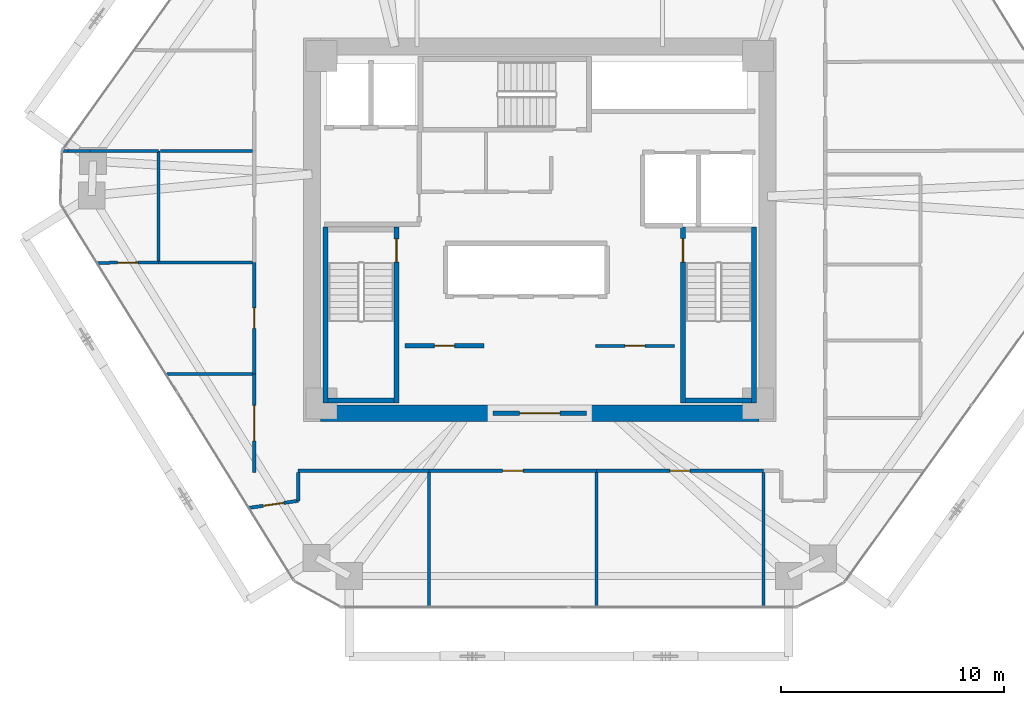
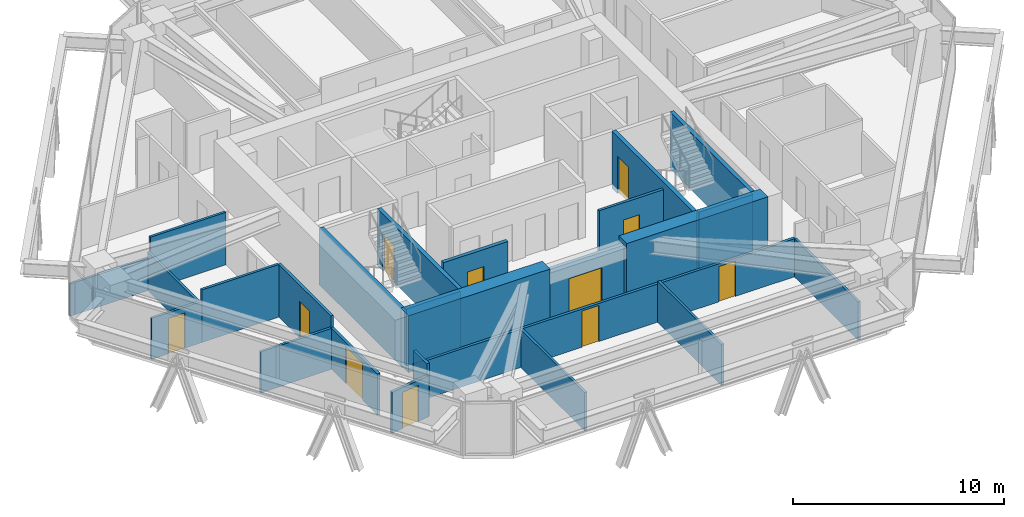
# One storey, part 12 of 16: 29 walls, 11 doors, 11 openings.
"""IFC4 building model written with IfcOpenShell, lengths in metres."""

import ifcopenshell
import ifcopenshell.guid

model = None  # the IFC model being written
_history = None  # IfcOwnerHistory: only IFC2X3 demands one
_inside = {}  # id of a spatial element -> (the spatial element, [elements in it])
_under = {}  # id of a project, library or spatial element -> (it, [spatial elements below it])
_declared = {}  # id of a project -> (the project, [libraries it declares])
_typed = {}  # id of a type object -> (the type object, [elements of that type])
_made_of = {}  # id of a material, layer set ... -> (it, [elements and type objects made of it])


def new_model(schema):
    """Start an empty IFC model of exactly this schema.

    Asked for "IFC4X3", IfcOpenShell would pick the latest addendum, in which some entities
    have other attributes; the version numbers below select the first issue.
    IFC2X3 requires an IfcOwnerHistory on every rooted entity: one is made here for all.
    """
    global model, _history
    if schema == "IFC4X3":
        model = ifcopenshell.file(schema_version=(4, 3, 0, 0))
    else:
        model = ifcopenshell.file(schema=schema)
    _inside.clear()
    _under.clear()
    _declared.clear()
    _typed.clear()
    _made_of.clear()
    _history = None
    if model.schema == "IFC2X3":
        org = make("IfcOrganization", Name="unknown")
        user = make(
            "IfcPersonAndOrganization",
            ThePerson=make("IfcPerson", FamilyName="unknown"),
            TheOrganization=org,
        )
        app = make(
            "IfcApplication",
            ApplicationDeveloper=org,
            Version="unknown",
            ApplicationFullName="unknown",
            ApplicationIdentifier="unknown",
        )
        _history = make(
            "IfcOwnerHistory",
            OwningUser=user,
            OwningApplication=app,
            ChangeAction="ADDED",
            CreationDate=0,
        )
    return model


def make(cls, **values):
    """One entity of the class cls with the attributes given. An attribute that is None is left unset."""
    return model.create_entity(
        cls, **{name: value for name, value in values.items() if value is not None}
    )


def rooted(cls, **values):
    """An entity with a GlobalId (a new one), such as an element, a storey or a relation."""
    return make(cls, GlobalId=ifcopenshell.guid.new(), OwnerHistory=_history, **values)


def si_unit(unit_type, name, prefix=None):
    """IfcSIUnit, for example si_unit("LENGTHUNIT", "METRE", prefix="MILLI")."""
    return make("IfcSIUnit", UnitType=unit_type, Prefix=prefix, Name=name)


def assignment(units):
    """IfcUnitAssignment: the units of a project."""
    return None if units is None else make("IfcUnitAssignment", Units=units)


def point(xyz):
    """IfcCartesianPoint."""
    return None if xyz is None else make("IfcCartesianPoint", Coordinates=xyz)


def direction(xyz):
    """IfcDirection."""
    return None if xyz is None else make("IfcDirection", DirectionRatios=xyz)


def frame(location, z_axis=None, x_axis=None):
    """IfcAxis2Placement3D, a coordinate frame: its origin and axes. An axis left out is left unset."""
    return make(
        "IfcAxis2Placement3D",
        Location=point(location),
        Axis=direction(z_axis),
        RefDirection=direction(x_axis),
    )


def frame_2d(location, x_axis=None):
    """IfcAxis2Placement2D, a coordinate frame in the plane: its origin and x axis."""
    return make(
        "IfcAxis2Placement2D", Location=point(location), RefDirection=direction(x_axis)
    )


def origin():
    """The frame at (0, 0, 0) with its axes left unset."""
    return frame((0.0, 0.0, 0.0))


def place(relative_to, where):
    """IfcLocalPlacement: puts the frame where relative to a parent placement (None: the world)."""
    return make(
        "IfcLocalPlacement", PlacementRelTo=relative_to, RelativePlacement=where
    )


def context(
    kind, dimensions, precision=None, world=None, true_north=None, identifier=None
):
    """IfcGeometricRepresentationContext, for example the 3D "Model" context."""
    return make(
        "IfcGeometricRepresentationContext",
        ContextIdentifier=identifier,
        ContextType=kind,
        CoordinateSpaceDimension=dimensions,
        Precision=precision,
        WorldCoordinateSystem=world,
        TrueNorth=true_north,
    )


def subcontext(parent, identifier, kind, view, scale=None):
    """IfcGeometricRepresentationSubContext, for example "Body" below "Model"."""
    return make(
        "IfcGeometricRepresentationSubContext",
        ContextIdentifier=identifier,
        ContextType=kind,
        ParentContext=parent,
        TargetScale=scale,
        TargetView=view,
    )


def project(units=None, contexts=None):
    """IfcProject with its units and contexts."""
    return rooted(
        "IfcProject",
        Name="project",
        RepresentationContexts=contexts,
        UnitsInContext=assignment(units),
    )


def spatial(cls, under=None, at=None, **own):
    """A site, building, storey or space (cls), placed at a placement, below another one or the project."""
    s = rooted(cls, ObjectPlacement=at, **own)
    if under is not None:
        _under.setdefault(under.id(), (under, []))[1].append(s)
    return s


def profile(cls, at=None, kind="AREA", **sizes):
    """A parametric profile (cls). Its sizes go by their IFC names, for example OverallWidth=200.0."""
    return make(cls, ProfileType=kind, Position=at, **sizes)


def rectangle(**sizes):
    """IfcRectangleProfileDef."""
    return profile("IfcRectangleProfileDef", **sizes)


def extrude(swept, where, along, depth):
    """IfcExtrudedAreaSolid: the profile swept, set in the frame where, extruded along a direction by depth."""
    return make(
        "IfcExtrudedAreaSolid",
        SweptArea=swept,
        Position=where,
        ExtrudedDirection=direction(along),
        Depth=depth,
    )


def shape(context_of_items, identifier, shape_type, items):
    """IfcShapeRepresentation: the items that make up one representation, for example the "Body"."""
    return make(
        "IfcShapeRepresentation",
        ContextOfItems=context_of_items,
        RepresentationIdentifier=identifier,
        RepresentationType=shape_type,
        Items=items,
    )


def source(mapping_origin, context_of_items, identifier, shape_type, items):
    """IfcRepresentationMap: a shape defined once, which mapped items show again and again."""
    return make(
        "IfcRepresentationMap",
        MappingOrigin=mapping_origin,
        MappedRepresentation=shape(context_of_items, identifier, shape_type, items),
    )


def transform(
    local_origin,
    x_axis=None,
    y_axis=None,
    z_axis=None,
    scale=None,
    scale2=None,
    scale3=None,
    uniform=True,
):
    """IfcCartesianTransformationOperator3D, or its non-uniform kind. x_axis, y_axis, z_axis: its Axis1, 2, 3."""
    if uniform:
        return make(
            "IfcCartesianTransformationOperator3D",
            Axis1=direction(x_axis),
            Axis2=direction(y_axis),
            LocalOrigin=point(local_origin),
            Scale=scale,
            Axis3=direction(z_axis),
        )
    return make(
        "IfcCartesianTransformationOperator3DnonUniform",
        Axis1=direction(x_axis),
        Axis2=direction(y_axis),
        LocalOrigin=point(local_origin),
        Scale=scale,
        Axis3=direction(z_axis),
        Scale2=scale2,
        Scale3=scale3,
    )


def mapped(mapping_source, mapping_target):
    """IfcMappedItem: shows the shape of a source again, moved by a transform."""
    return make(
        "IfcMappedItem", MappingSource=mapping_source, MappingTarget=mapping_target
    )


def material(Name=None, Category=None):
    """IfcMaterial."""
    return make("IfcMaterial", Name=Name, Category=Category)


def layer(
    of_material, thickness, ventilated=None, Name=None, Category=None, Priority=None
):
    """IfcMaterialLayer: one layer of a wall or slab, of a material (None: an air gap)."""
    return make(
        "IfcMaterialLayer",
        Material=of_material,
        LayerThickness=thickness,
        IsVentilated=ventilated,
        Name=Name,
        Category=Category,
        Priority=Priority,
    )


def layer_set(layers, Name=None):
    """IfcMaterialLayerSet."""
    return make("IfcMaterialLayerSet", MaterialLayers=layers, LayerSetName=Name)


def made_of(thing, what):
    """Note that an element or type object is made of a material, layer set ...; save() writes the relation."""
    if what is not None:
        _made_of.setdefault(what.id(), (what, []))[1].append(thing)
    return thing


def type_object(cls, material=None, **own):
    """A type object (cls), such as IfcWallType, which elements share."""
    return made_of(rooted(cls, **own), material)


def type_shapes(of_type, sources):
    """Give a type object the sources (RepresentationMaps) that its elements show as mapped items."""
    of_type.RepresentationMaps = sources


def element(
    cls,
    number,
    at=None,
    inside=None,
    cuts=None,
    type_object=None,
    material=None,
    context=None,
    identifier="Body",
    shape_type=None,
    held_by="IfcProductDefinitionShape",
    body=None,
    shapes=None,
    **own,
):
    """One element of the class cls, such as IfcWall. Its Tag is "e" and its number.

    at: its placement. inside: the storey or other place that contains it. cuts: it is an
    opening in that element (IfcRelVoidsElement). A single representation is given by context,
    identifier, shape_type and body (its items); several are given by shapes. held_by: the class
    of the entity that holds the representations. save() writes the other relations.
    """
    e = rooted(cls, Tag="e%d" % number, ObjectPlacement=at, **own)
    if body is not None:
        shapes = [shape(context, identifier, shape_type, body)]
    if shapes is not None:
        e.Representation = make(held_by, Representations=shapes)
    if inside is not None:
        _inside.setdefault(inside.id(), (inside, []))[1].append(e)
    if cuts is not None:
        rooted(
            "IfcRelVoidsElement", RelatingBuildingElement=cuts, RelatedOpeningElement=e
        )
    if type_object is not None:
        _typed.setdefault(type_object.id(), (type_object, []))[1].append(e)
    return made_of(e, material)


def fill(opening, filler):
    """IfcRelFillsElement: the door or window that sits in an opening."""
    return rooted(
        "IfcRelFillsElement",
        RelatingOpeningElement=opening,
        RelatedBuildingElement=filler,
    )


def aggregate(whole, parts):
    """IfcRelAggregates: a whole, such as a stair, and the parts it consists of."""
    return rooted("IfcRelAggregates", RelatingObject=whole, RelatedObjects=parts)


def save(model, path):
    """Write the relations noted so far, then the file.

    IfcRelAggregates (storeys below a building ...), IfcRelContainedInSpatialStructure (elements
    in a storey), IfcRelDefinesByType, IfcRelAssociatesMaterial and IfcRelDeclares: one each for
    every whole, place, type object, material and project.
    """
    for whole, parts in _under.values():
        aggregate(whole, parts)
    for where, things in _inside.values():
        rooted(
            "IfcRelContainedInSpatialStructure",
            RelatedElements=things,
            RelatingStructure=where,
        )
    for kind, things in _typed.values():
        rooted("IfcRelDefinesByType", RelatedObjects=things, RelatingType=kind)
    for what, things in _made_of.values():
        rooted("IfcRelAssociatesMaterial", RelatedObjects=things, RelatingMaterial=what)
    for by, libraries in _declared.values():
        rooted("IfcRelDeclares", RelatingContext=by, RelatedDefinitions=libraries)
    model.write(path)


model = new_model("IFC4")

# Units and contexts
model_context = context("Model", 3, precision=1e-05, world=origin(), true_north=direction((0.0, 1.0)))
body_context = subcontext(model_context, "Body", "Model", "MODEL_VIEW")
ifc_project = project(units=[si_unit("LENGTHUNIT", "METRE"), si_unit("AREAUNIT", "SQUARE_METRE"), si_unit("VOLUMEUNIT", "CUBIC_METRE"), si_unit("PLANEANGLEUNIT", "RADIAN"), si_unit("MASSUNIT", "GRAM", prefix="KILO")], contexts=[model_context])

# Site, building, storey
site_placement = place(None, origin())
site = spatial("IfcSite", under=ifc_project, at=site_placement, CompositionType="ELEMENT")
building_placement = place(site_placement, origin())
building = spatial("IfcBuilding", under=site, at=building_placement, Name="Durnholm Broadcast Tower", CompositionType="ELEMENT")
storey_placement = place(building_placement, frame((0.0, 0.0, 130.5)))
storey = spatial("IfcBuildingStorey", under=building, at=storey_placement, Name="L35", CompositionType="ELEMENT", Elevation=130.5)

# Walls
ifc_material_1 = material(Name="Concrete C70/85", Category="concrete")
ifc_layer_1 = layer(ifc_material_1, 0.75)
ifc_layer_set_1 = layer_set([ifc_layer_1], Name="Concrete C70/85")
wall_type_1 = type_object("IfcWallType", Name="WALL-CW-750", PredefinedType="SHEAR", material=ifc_layer_set_1)
for number, where, z_axis, x_axis, name in (
    (1, (-9.85009765625, -8.22509765625, 0.0), (0.0, 0.0, 1.0), (1.0, 0.0, 0.0), "L35 central core shear wall CW-S1"),
    (2, (2.10009765625, -8.22509765625, 0.0), (0.0, 0.0, 1.0), (1.0, 0.0, 0.0), "L35 central core shear wall CW-S2"),
):
    element("IfcWall", number, at=place(storey_placement, frame(where, z_axis=z_axis, x_axis=x_axis)), inside=storey, type_object=wall_type_1, Name=name, PredefinedType="SHEAR", context=body_context, shape_type="SweptSolid", body=[
        extrude(rectangle(XDim=7.75, YDim=0.75, at=frame_2d((3.875, 0.0))), origin(), (0.0, 0.0, 1.0), 3.300048828125),
    ])

# Wall, opening, door
ifc_material_2 = material(Name="Fire-Rated Gypsum Shaftwall", Category="concrete")
ifc_layer_2 = layer(ifc_material_2, 0.199951171875)
ifc_layer_set_2 = layer_set([ifc_layer_2], Name="Fire-Rated Gypsum Shaftwall")
wall_type_2 = type_object("IfcWallType", Name="WALL-LOB-200", PredefinedType="SOLIDWALL", material=ifc_layer_set_2)
wall_1_placement = place(storey_placement, frame((-2.10009765625, -8.22509765625, 0.0), z_axis=(0.0, 0.0, 1.0), x_axis=(1.0, 0.0, 0.0)))
wall_1 = element("IfcWall", 3, at=wall_1_placement, inside=storey, type_object=wall_type_2, Name="L35 south core lobby fire screen", PredefinedType="SOLIDWALL", context=body_context, shape_type="SweptSolid", body=[
    extrude(rectangle(XDim=4.2001953125, YDim=0.199951171875, at=frame_2d((2.10009765625, 0.0))), origin(), (0.0, 0.0, 1.0), 3.044921875),
])
opening_1_placement = place(wall_1_placement, frame((1.199951171875, 0.0, 0.0)))
opening_1 = element("IfcOpeningElement", 4, at=opening_1_placement, cuts=wall_1, Name="Opening DP-60", PredefinedType="OPENING", context=body_context, shape_type="SweptSolid", body=[
    extrude(rectangle(XDim=1.800048828125, YDim=2.14990234375, at=frame_2d((0.89990234375, 1.074951171875))), frame((0.0, 0.10986328125, 0.0), z_axis=(0.0, -1.0, 0.0), x_axis=(1.0, 0.0, 0.0)), (0.0, 0.0, 1.0), 0.219970703125),
])
ifc_material_3 = material(Name="Fire-Rated Double Corridor Door", Category="steel")
ifc_layer_3 = layer(ifc_material_3, 0.050048828125)
ifc_layer_set_3 = layer_set([ifc_layer_3], Name="Fire-Rated Double Corridor Door")
door_type_1 = type_object("IfcDoorType", Name="DOOR-PAIR-FD60", OperationType="DOUBLE_DOOR_SINGLE_SWING", PredefinedType="DOOR", material=ifc_layer_set_3)
shared_shape_1 = source(origin(), body_context, "Body", "SweptSolid", [
    extrude(rectangle(XDim=1.800048828125, YDim=2.14990234375, at=frame_2d((0.89990234375, 1.074951171875))), frame((0.0, 0.02490234375, 0.0), z_axis=(0.0, -1.0, 0.0), x_axis=(1.0, 0.0, 0.0)), (0.0, 0.0, 1.0), 0.050048828125),
])
type_shapes(door_type_1, [shared_shape_1])
door_1_placement = place(opening_1_placement, origin())
door_1 = element("IfcDoor", 5, at=door_1_placement, inside=storey, type_object=door_type_1, Name="L35 south core lobby double fire door", OperationType="DOUBLE_DOOR_SINGLE_SWING", OverallHeight=2.14990234375, OverallWidth=1.800048828125, PredefinedType="DOOR", context=body_context, shape_type="MappedRepresentation", body=[
    mapped(shared_shape_1, transform((0.0, 0.0, 0.0), x_axis=(1.0, 0.0, 0.0), y_axis=(0.0, 1.0, 0.0), z_axis=(0.0, 0.0, 1.0), scale=1.0)),
])
fill(opening_1, door_1)

wall_2_placement = place(storey_placement, frame((-6.0400390625, -5.2099609375, 0.0), z_axis=(0.0, 0.0, 1.0), x_axis=(1.0, 0.0, 0.0)))
wall_2 = element("IfcWall", 6, at=wall_2_placement, inside=storey, type_object=wall_type_2, Name="L35 Broadcast Signal Rack Room corridor partition", PredefinedType="SOLIDWALL", context=body_context, shape_type="SweptSolid", body=[
    extrude(rectangle(XDim=3.530029296875, YDim=0.199951171875, at=frame_2d((1.76513671875, 0.0))), origin(), (0.0, 0.0, 1.0), 3.044921875),
])
opening_2_placement = place(wall_2_placement, frame((1.31494140625, 0.0, 0.0)))
opening_2 = element("IfcOpeningElement", 7, at=opening_2_placement, cuts=wall_2, Name="Opening DC-60R", PredefinedType="OPENING", context=body_context, shape_type="SweptSolid", body=[
    extrude(rectangle(XDim=0.89990234375, YDim=2.050048828125, at=frame_2d((0.449951171875, 1.02490234375))), frame((0.0, 0.10986328125, 0.0), z_axis=(0.0, -1.0, 0.0), x_axis=(1.0, 0.0, 0.0)), (0.0, 0.0, 1.0), 0.219970703125),
])
ifc_material_4 = material(Name="Fire-Rated Core Service Door", Category="steel")
ifc_layer_4 = layer(ifc_material_4, 0.050048828125)
ifc_layer_set_4 = layer_set([ifc_layer_4], Name="Fire-Rated Core Service Door")
door_type_2 = type_object("IfcDoorType", Name="DOOR-CORE-FD60-R", OperationType="NOTDEFINED", PredefinedType="DOOR", material=ifc_layer_set_4)
shared_shape_2 = source(origin(), body_context, "Body", "SweptSolid", [
    extrude(rectangle(XDim=0.89990234375, YDim=2.050048828125, at=frame_2d((0.449951171875, 1.02490234375))), frame((0.0, 0.02490234375, 0.0), z_axis=(0.0, -1.0, 0.0), x_axis=(1.0, 0.0, 0.0)), (0.0, 0.0, 1.0), 0.050048828125),
])
type_shapes(door_type_2, [shared_shape_2])
door_2_placement = place(opening_2_placement, origin())
door_2 = element("IfcDoor", 8, at=door_2_placement, inside=storey, type_object=door_type_2, Name="L35 Broadcast Signal Rack Room entrance door", OperationType="SINGLE_SWING_RIGHT", OverallHeight=2.050048828125, OverallWidth=0.89990234375, PredefinedType="DOOR", context=body_context, shape_type="MappedRepresentation", body=[
    mapped(shared_shape_2, transform((0.0, 0.0, 0.0), x_axis=(1.0, 0.0, 0.0), y_axis=(0.0, 1.0, 0.0), z_axis=(0.0, 0.0, 1.0), scale=1.0)),
])
fill(opening_2, door_2)

# Walls
ifc_material_5 = material(Name="Gypsum Metal Stud Partition", Category="concrete")
ifc_layer_5 = layer(ifc_material_5, 0.135009765625)
ifc_layer_set_5 = layer_set([ifc_layer_5], Name="Gypsum Metal Stud Partition")
wall_type_3 = type_object("IfcWallType", Name="WALL-PART-135", PredefinedType="PARTITIONING", material=ifc_layer_set_5)
wall_3_placement = place(storey_placement, frame((-4.9599609375, -10.888916015625, 0.0), z_axis=(0.0, 0.0, 1.0), x_axis=(0.0, -1.0, 0.0)))
element("IfcWall", 9, at=wall_3_placement, inside=storey, type_object=wall_type_3, Name="L35 room dividing partition 14.15", PredefinedType="PARTITIONING", context=body_context, shape_type="SweptSolid", body=[
    extrude(rectangle(XDim=6.048095703125, YDim=0.135009765625, at=frame_2d((3.02392578125, 0.0))), origin(), (0.0, 0.0, 1.0), 2.212158203125),
])
wall_4_placement = place(storey_placement, frame((2.5400390625, -10.888916015625, 0.0), z_axis=(0.0, 0.0, 1.0), x_axis=(0.0, -1.0, 0.0)))
element("IfcWall", 10, at=wall_4_placement, inside=storey, type_object=wall_type_3, Name="L35 room dividing partition 15.16", PredefinedType="PARTITIONING", context=body_context, shape_type="SweptSolid", body=[
    extrude(rectangle(XDim=6.048095703125, YDim=0.135009765625, at=frame_2d((3.02392578125, 0.0))), origin(), (0.0, 0.0, 1.0), 2.3798828125),
])
wall_5_placement = place(storey_placement, frame((10.0400390625, -10.888916015625, 0.0), z_axis=(0.0, 0.0, 1.0), x_axis=(0.0, -1.0, 0.0)))
element("IfcWall", 11, at=wall_5_placement, inside=storey, type_object=wall_type_3, Name="L35 room dividing partition 16.17", PredefinedType="PARTITIONING", context=body_context, shape_type="SweptSolid", body=[
    extrude(rectangle(XDim=6.048095703125, YDim=0.135009765625, at=frame_2d((3.02392578125, 0.0))), origin(), (0.0, 0.0, 1.0), 2.212158203125),
])
wall_6_placement = place(storey_placement, frame((-16.774169921875, -6.481201171875, 0.0), z_axis=(0.0, 0.0, 1.0), x_axis=(0.999985736048, 0.005341132812, 0.0)))
element("IfcWall", 12, at=wall_6_placement, inside=storey, type_object=wall_type_3, Name="L35 room dividing partition 18.19", PredefinedType="PARTITIONING", context=body_context, shape_type="SweptSolid", body=[
    extrude(rectangle(XDim=3.88525390625, YDim=0.135009765625, at=frame_2d((1.942626953125, 0.0))), origin(), (0.0, 0.0, 1.0), 2.3798828125),
])

# Wall, opening, door
wall_7_placement = place(storey_placement, frame((-19.87548828125, -1.481201171875, 0.0), z_axis=(0.0, 0.0, 1.0), x_axis=(0.999970654695, 0.007660923473, 0.0)))
wall_7 = element("IfcWall", 13, at=wall_7_placement, inside=storey, type_object=wall_type_3, Name="L35 room dividing partition 19.20", PredefinedType="PARTITIONING", context=body_context, shape_type="SweptSolid", body=[
    extrude(rectangle(XDim=2.7724609375, YDim=0.135009765625, at=frame_2d((1.38623046875, 0.0))), origin(), (0.0, 0.0, 1.0), 2.3798828125),
])
opening_3_placement = place(wall_7_placement, frame((0.936279296875, 0.0, 0.0)))
opening_3 = element("IfcOpeningElement", 14, at=opening_3_placement, cuts=wall_7, Name="Opening DW-90L", PredefinedType="OPENING", context=body_context, shape_type="SweptSolid", body=[
    extrude(rectangle(XDim=0.89990234375, YDim=2.050048828125, at=frame_2d((0.449951171875, 1.02490234375))), frame((0.0, 0.07763671875, 0.0), z_axis=(0.0, -1.0, 0.0), x_axis=(1.0, 0.0, 0.0)), (0.0, 0.0, 1.0), 0.155029296875),
])
ifc_material_6 = material(Name="Laminate Restroom Door", Category="steel")
ifc_layer_6 = layer(ifc_material_6, 0.050048828125)
ifc_layer_set_6 = layer_set([ifc_layer_6], Name="Laminate Restroom Door")
door_type_3 = type_object("IfcDoorType", Name="DOOR-WC-900L", OperationType="NOTDEFINED", PredefinedType="DOOR", material=ifc_layer_set_6)
shared_shape_3 = source(origin(), body_context, "Body", "SweptSolid", [
    extrude(rectangle(XDim=0.89990234375, YDim=2.050048828125, at=frame_2d((0.449951171875, 1.02490234375))), frame((0.0, 0.02490234375, 0.0), z_axis=(0.0, -1.0, 0.0), x_axis=(1.0, 0.0, 0.0)), (0.0, 0.0, 1.0), 0.050048828125),
])
type_shapes(door_type_3, [shared_shape_3])
door_3_placement = place(opening_3_placement, origin())
door_3 = element("IfcDoor", 15, at=door_3_placement, inside=storey, type_object=door_type_3, Name="L35 Audio Lounge connecting door", OperationType="SINGLE_SWING_LEFT", OverallHeight=2.050048828125, OverallWidth=0.89990234375, PredefinedType="DOOR", context=body_context, shape_type="MappedRepresentation", body=[
    mapped(shared_shape_3, transform((0.0, 0.0, 0.0), x_axis=(1.0, 0.0, 0.0), y_axis=(0.0, 1.0, 0.0), z_axis=(0.0, 0.0, 1.0), scale=1.0)),
])
fill(opening_3, door_3)

# Walls
wall_8_placement = place(storey_placement, frame((-17.10302734375, -1.4599609375, 0.0), z_axis=(0.0, 0.0, 1.0), x_axis=(1.0, 0.0, 0.0)))
element("IfcWall", 16, at=wall_8_placement, inside=storey, type_object=wall_type_3, Name="L35 room dividing partition 19.21", PredefinedType="PARTITIONING", context=body_context, shape_type="SweptSolid", body=[
    extrude(rectangle(XDim=4.214111328125, YDim=0.135009765625, at=frame_2d((2.10693359375, 0.0))), origin(), (0.0, 0.0, 1.0), 3.044921875),
])
wall_9_placement = place(storey_placement, frame((-17.10302734375, 3.5400390625, 0.0), z_axis=(0.0, 0.0, 1.0), x_axis=(0.0, -1.0, 0.0)))
element("IfcWall", 17, at=wall_9_placement, inside=storey, type_object=wall_type_3, Name="L35 room dividing partition 20.21", PredefinedType="PARTITIONING", context=body_context, shape_type="SweptSolid", body=[
    extrude(rectangle(XDim=4.928466796875, YDim=0.135009765625, at=frame_2d((2.46435546875, 0.0))), origin(), (0.0, 0.0, 1.0), 2.212158203125),
])
wall_10_placement = place(storey_placement, frame((-21.435546875, 3.54150390625, 0.0), z_axis=(0.0, 0.0, 1.0), x_axis=(0.999999550774, -0.000947866873, 0.0)))
element("IfcWall", 18, at=wall_10_placement, inside=storey, type_object=wall_type_3, Name="L35 room dividing partition 20.22", PredefinedType="PARTITIONING", context=body_context, shape_type="SweptSolid", body=[
    extrude(rectangle(XDim=0.257568359375, YDim=0.135009765625, at=frame_2d((0.12890625, 0.0))), origin(), (0.0, 0.0, 1.0), 1.876953125),
])
wall_11_placement = place(storey_placement, frame((-20.175048828125, 3.541015625, 0.0), z_axis=(0.0, 0.0, 1.0), x_axis=(0.999999949473, -0.0003178892, 0.0)))
element("IfcWall", 19, at=wall_11_placement, inside=storey, type_object=wall_type_3, Name="L35 room dividing partition 20.22", PredefinedType="PARTITIONING", context=body_context, shape_type="SweptSolid", body=[
    extrude(rectangle(XDim=3.072021484375, YDim=0.135009765625, at=frame_2d((1.5361328125, 0.0))), origin(), (0.0, 0.0, 1.0), 1.876953125),
])
wall_12_placement = place(storey_placement, frame((-21.177978515625, 3.541259765625, 0.0), z_axis=(0.0, 0.0, 1.0), x_axis=(0.999999970372, -0.000243427451, 0.0)))
element("IfcWall", 20, at=wall_12_placement, inside=storey, type_object=wall_type_3, Name="L35 room dividing partition 20.22", PredefinedType="PARTITIONING", context=body_context, shape_type="SweptSolid", body=[
    extrude(rectangle(XDim=1.0029296875, YDim=0.135009765625, at=frame_2d((0.50146484375, 0.0))), origin(), (0.0, 0.0, 1.0), 1.876953125),
])
wall_13_placement = place(storey_placement, frame((-17.031494140625, 3.5400390625, 0.0), z_axis=(0.0, 0.0, 1.0), x_axis=(1.0, 0.0, 0.0)))
element("IfcWall", 21, at=wall_13_placement, inside=storey, type_object=wall_type_3, Name="L35 room dividing partition 21.22", PredefinedType="PARTITIONING", context=body_context, shape_type="SweptSolid", body=[
    extrude(rectangle(XDim=4.142578125, YDim=0.135009765625, at=frame_2d((2.0712890625, 0.0))), origin(), (0.0, 0.0, 1.0), 3.044921875),
])

# Wall, opening, door
ifc_material_7 = material(Name="Acoustic Gypsum Stud Partition", Category="concrete")
ifc_layer_7 = layer(ifc_material_7, 0.14990234375)
ifc_layer_set_7 = layer_set([ifc_layer_7], Name="Acoustic Gypsum Stud Partition")
wall_type_4 = type_object("IfcWallType", Name="WALL-PART-150", PredefinedType="PARTITIONING", material=ifc_layer_set_7)
wall_14_placement = place(storey_placement, frame((2.510009765625, -5.2099609375, 0.0), z_axis=(0.0, 0.0, 1.0), x_axis=(1.0, 0.0, 0.0)))
wall_14 = element("IfcWall", 22, at=wall_14_placement, inside=storey, type_object=wall_type_4, Name="L35 Editorial Beverage Pantry corridor partition", PredefinedType="PARTITIONING", context=body_context, shape_type="SweptSolid", body=[
    extrude(rectangle(XDim=3.530029296875, YDim=0.14990234375, at=frame_2d((1.76513671875, 0.0))), origin(), (0.0, 0.0, 1.0), 3.044921875),
])
opening_4_placement = place(wall_14_placement, frame((1.31494140625, 0.0, 0.0)))
opening_4 = element("IfcOpeningElement", 23, at=opening_4_placement, cuts=wall_14, Name="Opening DC-60L", PredefinedType="OPENING", context=body_context, shape_type="SweptSolid", body=[
    extrude(rectangle(XDim=0.89990234375, YDim=2.050048828125, at=frame_2d((0.449951171875, 1.02490234375))), frame((0.0, 0.0849609375, 0.0), z_axis=(0.0, -1.0, 0.0), x_axis=(1.0, 0.0, 0.0)), (0.0, 0.0, 1.0), 0.169921875),
])
ifc_layer_8 = layer(ifc_material_4, 0.050048828125)
ifc_layer_set_8 = layer_set([ifc_layer_8], Name="Fire-Rated Core Service Door")
door_type_4 = type_object("IfcDoorType", Name="DOOR-CORE-FD60-L", OperationType="NOTDEFINED", PredefinedType="DOOR", material=ifc_layer_set_8)
shared_shape_4 = source(origin(), body_context, "Body", "SweptSolid", [
    extrude(rectangle(XDim=0.89990234375, YDim=2.050048828125, at=frame_2d((0.449951171875, 1.02490234375))), frame((0.0, 0.02490234375, 0.0), z_axis=(0.0, -1.0, 0.0), x_axis=(1.0, 0.0, 0.0)), (0.0, 0.0, 1.0), 0.050048828125),
])
type_shapes(door_type_4, [shared_shape_4])
door_4_placement = place(opening_4_placement, origin())
door_4 = element("IfcDoor", 24, at=door_4_placement, inside=storey, type_object=door_type_4, Name="L35 Editorial Beverage Pantry entrance door", OperationType="SINGLE_SWING_LEFT", OverallHeight=2.050048828125, OverallWidth=0.89990234375, PredefinedType="DOOR", context=body_context, shape_type="MappedRepresentation", body=[
    mapped(shared_shape_4, transform((0.0, 0.0, 0.0), x_axis=(1.0, 0.0, 0.0), y_axis=(0.0, 1.0, 0.0), z_axis=(0.0, 0.0, 1.0), scale=1.0)),
])
fill(opening_4, door_4)

# Wall
wall_15_placement = place(storey_placement, frame((-10.840087890625, -10.81005859375, 0.0), z_axis=(0.0, 0.0, 1.0), x_axis=(1.0, 0.0, 0.0)))
element("IfcWall", 25, at=wall_15_placement, inside=storey, type_object=wall_type_4, Name="L35 Broadcast Kitchen corridor partition", PredefinedType="PARTITIONING", context=body_context, shape_type="SweptSolid", body=[
    extrude(rectangle(XDim=5.880126953125, YDim=0.14990234375, at=frame_2d((2.93994140625, 0.0))), origin(), (0.0, 0.0, 1.0), 2.212158203125),
])

# Wall, opening, door
wall_16_placement = place(storey_placement, frame((-13.053955078125, -12.478759765625, 0.0), z_axis=(0.0, 0.0, 1.0), x_axis=(0.989787303338, 0.142552075227, 0.0)))
wall_16 = element("IfcWall", 26, at=wall_16_placement, inside=storey, type_object=wall_type_4, Name="L35 Broadcast Kitchen corridor partition", PredefinedType="PARTITIONING", context=body_context, shape_type="SweptSolid", body=[
    extrude(rectangle(XDim=2.23681640625, YDim=0.14990234375, at=frame_2d((1.118408203125, 0.0))), origin(), (0.0, 0.0, 1.0), 2.3798828125),
])
opening_5_placement = place(wall_16_placement, frame((0.643310546875, 0.0, 0.0)))
opening_5 = element("IfcOpeningElement", 27, at=opening_5_placement, cuts=wall_16, Name="Opening DR-95L", PredefinedType="OPENING", context=body_context, shape_type="SweptSolid", body=[
    extrude(rectangle(XDim=0.949951171875, YDim=2.10009765625, at=frame_2d((0.47509765625, 1.050048828125))), frame((0.0, 0.0849609375, 0.0), z_axis=(0.0, -1.0, 0.0), x_axis=(1.0, 0.0, 0.0)), (0.0, 0.0, 1.0), 0.169921875),
])
ifc_material_8 = material(Name="Acoustic Oak Veneer Timber Door", Category="wood")
ifc_layer_9 = layer(ifc_material_8, 0.050048828125)
ifc_layer_set_9 = layer_set([ifc_layer_9], Name="Acoustic Oak Veneer Timber Door")
door_type_5 = type_object("IfcDoorType", Name="DOOR-RM-950L", OperationType="NOTDEFINED", PredefinedType="DOOR", material=ifc_layer_set_9)
shared_shape_5 = source(origin(), body_context, "Body", "SweptSolid", [
    extrude(rectangle(XDim=0.949951171875, YDim=2.10009765625, at=frame_2d((0.47509765625, 1.050048828125))), frame((0.0, 0.02490234375, 0.0), z_axis=(0.0, -1.0, 0.0), x_axis=(1.0, 0.0, 0.0)), (0.0, 0.0, 1.0), 0.050048828125),
])
type_shapes(door_type_5, [shared_shape_5])
door_5_placement = place(opening_5_placement, origin())
door_5 = element("IfcDoor", 28, at=door_5_placement, inside=storey, type_object=door_type_5, Name="L35 Broadcast Kitchen entrance door", OperationType="SINGLE_SWING_LEFT", OverallHeight=2.10009765625, OverallWidth=0.949951171875, PredefinedType="DOOR", context=body_context, shape_type="MappedRepresentation", body=[
    mapped(shared_shape_5, transform((0.0, 0.0, 0.0), x_axis=(1.0, 0.0, 0.0), y_axis=(0.0, 1.0, 0.0), z_axis=(0.0, 0.0, 1.0), scale=1.0)),
])
fill(opening_5, door_5)

# Wall
wall_17_placement = place(storey_placement, frame((-10.840087890625, -12.159912109375, 0.0), z_axis=(0.0, 0.0, 1.0), x_axis=(0.0, 1.0, 0.0)))
element("IfcWall", 29, at=wall_17_placement, inside=storey, type_object=wall_type_4, Name="L35 Broadcast Kitchen corridor partition", PredefinedType="PARTITIONING", context=body_context, shape_type="SweptSolid", body=[
    extrude(rectangle(XDim=1.27099609375, YDim=0.14990234375, at=frame_2d((0.635498046875, 0.0))), origin(), (0.0, 0.0, 1.0), 3.044921875),
])

# Wall, opening, door
wall_18_placement = place(storey_placement, frame((-4.9599609375, -10.81005859375, 0.0), z_axis=(0.0, 0.0, 1.0), x_axis=(1.0, 0.0, 0.0)))
wall_18 = element("IfcWall", 30, at=wall_18_placement, inside=storey, type_object=wall_type_4, Name="L35 Sound Effects Lounge corridor partition", PredefinedType="PARTITIONING", context=body_context, shape_type="SweptSolid", body=[
    extrude(rectangle(XDim=7.5, YDim=0.14990234375, at=frame_2d((3.75, 0.0))), origin(), (0.0, 0.0, 1.0), 2.212158203125),
])
opening_6_placement = place(wall_18_placement, frame((3.2900390625, 0.0, 0.0)))
opening_6 = element("IfcOpeningElement", 31, at=opening_6_placement, cuts=wall_18, Name="Opening DR-92R", PredefinedType="OPENING", context=body_context, shape_type="SweptSolid", body=[
    extrude(rectangle(XDim=0.919921875, YDim=2.10009765625, at=frame_2d((0.4599609375, 1.050048828125))), frame((0.0, 0.0849609375, 0.0), z_axis=(0.0, -1.0, 0.0), x_axis=(1.0, 0.0, 0.0)), (0.0, 0.0, 1.0), 0.169921875),
])
ifc_material_9 = material(Name="Oak Veneer Office Door", Category="wood")
ifc_layer_10 = layer(ifc_material_9, 0.050048828125)
ifc_layer_set_10 = layer_set([ifc_layer_10], Name="Oak Veneer Office Door")
door_type_6 = type_object("IfcDoorType", Name="DOOR-RM-920R", OperationType="NOTDEFINED", PredefinedType="DOOR", material=ifc_layer_set_10)
shared_shape_6 = source(origin(), body_context, "Body", "SweptSolid", [
    extrude(rectangle(XDim=0.919921875, YDim=2.10009765625, at=frame_2d((0.4599609375, 1.050048828125))), frame((0.0, 0.02490234375, 0.0), z_axis=(0.0, -1.0, 0.0), x_axis=(1.0, 0.0, 0.0)), (0.0, 0.0, 1.0), 0.050048828125),
])
type_shapes(door_type_6, [shared_shape_6])
door_6_placement = place(opening_6_placement, origin())
door_6 = element("IfcDoor", 32, at=door_6_placement, inside=storey, type_object=door_type_6, Name="L35 Sound Effects Lounge entrance door", OperationType="SINGLE_SWING_RIGHT", OverallHeight=2.10009765625, OverallWidth=0.919921875, PredefinedType="DOOR", context=body_context, shape_type="MappedRepresentation", body=[
    mapped(shared_shape_6, transform((0.0, 0.0, 0.0), x_axis=(1.0, 0.0, 0.0), y_axis=(0.0, 1.0, 0.0), z_axis=(0.0, 0.0, 1.0), scale=1.0)),
])
fill(opening_6, door_6)

wall_19_placement = place(storey_placement, frame((2.5400390625, -10.81005859375, 0.0), z_axis=(0.0, 0.0, 1.0), x_axis=(1.0, 0.0, 0.0)))
wall_19 = element("IfcWall", 33, at=wall_19_placement, inside=storey, type_object=wall_type_4, Name="L35 Music Library Store corridor partition", PredefinedType="PARTITIONING", context=body_context, shape_type="SweptSolid", body=[
    extrude(rectangle(XDim=7.5, YDim=0.14990234375, at=frame_2d((3.75, 0.0))), origin(), (0.0, 0.0, 1.0), 2.212158203125),
])
opening_7_placement = place(wall_19_placement, frame((3.300048828125, 0.0, 0.0)))
opening_7 = element("IfcOpeningElement", 34, at=opening_7_placement, cuts=wall_19, Name="Opening DC-60L", PredefinedType="OPENING", context=body_context, shape_type="SweptSolid", body=[
    extrude(rectangle(XDim=0.89990234375, YDim=2.050048828125, at=frame_2d((0.449951171875, 1.02490234375))), frame((0.0, 0.0849609375, 0.0), z_axis=(0.0, -1.0, 0.0), x_axis=(1.0, 0.0, 0.0)), (0.0, 0.0, 1.0), 0.169921875),
])
door_7_placement = place(opening_7_placement, origin())
door_7 = element("IfcDoor", 35, at=door_7_placement, inside=storey, type_object=door_type_4, Name="L35 Music Library Store entrance door", OperationType="SINGLE_SWING_LEFT", OverallHeight=2.050048828125, OverallWidth=0.89990234375, PredefinedType="DOOR", context=body_context, shape_type="MappedRepresentation", body=[
    mapped(shared_shape_4, transform((0.0, 0.0, 0.0), x_axis=(1.0, 0.0, 0.0), y_axis=(0.0, 1.0, 0.0), z_axis=(0.0, 0.0, 1.0), scale=1.0)),
])
fill(opening_7, door_7)

wall_20_placement = place(storey_placement, frame((-12.81005859375, -6.4599609375, 0.0), z_axis=(0.0, 0.0, 1.0), x_axis=(0.0, -1.0, 0.0)))
wall_20 = element("IfcWall", 36, at=wall_20_placement, inside=storey, type_object=wall_type_4, Name="L35 Mastering Screening Auditorium corridor partition", PredefinedType="PARTITIONING", context=body_context, shape_type="SweptSolid", body=[
    extrude(rectangle(XDim=4.429931640625, YDim=0.14990234375, at=frame_2d((2.21484375, 0.0))), origin(), (0.0, 0.0, 1.0), 2.3798828125),
])
opening_8_placement = place(wall_20_placement, frame((1.4150390625, 0.0, 0.0)))
opening_8 = element("IfcOpeningElement", 37, at=opening_8_placement, cuts=wall_20, Name="Opening DST-160", PredefinedType="OPENING", context=body_context, shape_type="SweptSolid", body=[
    extrude(rectangle(XDim=1.60009765625, YDim=2.14990234375, at=frame_2d((0.800048828125, 1.074951171875))), frame((0.0, 0.0849609375, 0.0), z_axis=(0.0, -1.0, 0.0), x_axis=(1.0, 0.0, 0.0)), (0.0, 0.0, 1.0), 0.169921875),
])
ifc_material_10 = material(Name="Acoustic Broadcast Studio Sound-Lock Door", Category="steel")
ifc_layer_11 = layer(ifc_material_10, 0.050048828125)
ifc_layer_set_11 = layer_set([ifc_layer_11], Name="Acoustic Broadcast Studio Sound-Lock Door")
door_type_7 = type_object("IfcDoorType", Name="DOOR-STU-1600", OperationType="DOUBLE_DOOR_SINGLE_SWING", PredefinedType="DOOR", material=ifc_layer_set_11)
shared_shape_7 = source(origin(), body_context, "Body", "SweptSolid", [
    extrude(rectangle(XDim=1.60009765625, YDim=2.14990234375, at=frame_2d((0.800048828125, 1.074951171875))), frame((0.0, 0.02490234375, 0.0), z_axis=(0.0, -1.0, 0.0), x_axis=(1.0, 0.0, 0.0)), (0.0, 0.0, 1.0), 0.050048828125),
])
type_shapes(door_type_7, [shared_shape_7])
door_8_placement = place(opening_8_placement, origin())
door_8 = element("IfcDoor", 38, at=door_8_placement, inside=storey, type_object=door_type_7, Name="L35 Mastering Screening Auditorium entrance door", OperationType="DOUBLE_DOOR_SINGLE_SWING", OverallHeight=2.14990234375, OverallWidth=1.60009765625, PredefinedType="DOOR", context=body_context, shape_type="MappedRepresentation", body=[
    mapped(shared_shape_7, transform((0.0, 0.0, 0.0), x_axis=(1.0, 0.0, 0.0), y_axis=(0.0, 1.0, 0.0), z_axis=(0.0, 0.0, 1.0), scale=1.0)),
])
fill(opening_8, door_8)

wall_21_placement = place(storey_placement, frame((-12.81005859375, -1.4599609375, 0.0), z_axis=(0.0, 0.0, 1.0), x_axis=(0.0, -1.0, 0.0)))
wall_21 = element("IfcWall", 39, at=wall_21_placement, inside=storey, type_object=wall_type_4, Name="L35 Podcast Dining Room corridor partition", PredefinedType="PARTITIONING", context=body_context, shape_type="SweptSolid", body=[
    extrude(rectangle(XDim=5.0, YDim=0.14990234375, at=frame_2d((2.5, 0.0))), origin(), (0.0, 0.0, 1.0), 3.044921875),
])
opening_9_placement = place(wall_21_placement, frame((2.0400390625, 0.0, 0.0)))
opening_9 = element("IfcOpeningElement", 40, at=opening_9_placement, cuts=wall_21, Name="Opening DR-92R", PredefinedType="OPENING", context=body_context, shape_type="SweptSolid", body=[
    extrude(rectangle(XDim=0.919921875, YDim=2.10009765625, at=frame_2d((0.4599609375, 1.050048828125))), frame((0.0, 0.0849609375, 0.0), z_axis=(0.0, -1.0, 0.0), x_axis=(1.0, 0.0, 0.0)), (0.0, 0.0, 1.0), 0.169921875),
])
door_9_placement = place(opening_9_placement, origin())
door_9 = element("IfcDoor", 41, at=door_9_placement, inside=storey, type_object=door_type_6, Name="L35 Podcast Dining Room entrance door", OperationType="SINGLE_SWING_RIGHT", OverallHeight=2.10009765625, OverallWidth=0.919921875, PredefinedType="DOOR", context=body_context, shape_type="MappedRepresentation", body=[
    mapped(shared_shape_6, transform((0.0, 0.0, 0.0), x_axis=(1.0, 0.0, 0.0), y_axis=(0.0, 1.0, 0.0), z_axis=(0.0, 0.0, 1.0), scale=1.0)),
])
fill(opening_9, door_9)

ifc_material_11 = material(Name="Concrete C50/60", Category="concrete")
ifc_layer_12 = layer(ifc_material_11, 0.219970703125)
ifc_layer_set_12 = layer_set([ifc_layer_12], Name="Concrete C50/60")
wall_type_5 = type_object("IfcWallType", Name="WALL-SW-220", PredefinedType="SHEAR", material=ifc_layer_set_12)
wall_22_placement = place(storey_placement, frame((-6.429931640625, -7.77001953125, -0.239990234375), z_axis=(0.0, 0.0, 1.0), x_axis=(0.0, 1.0, 0.0)))
wall_22 = element("IfcWall", 42, at=wall_22_placement, inside=storey, type_object=wall_type_5, Name="L35 stair ST-1 structural shaft wall E", PredefinedType="SHEAR", context=body_context, shape_type="SweptSolid", body=[
    extrude(rectangle(XDim=7.89013671875, YDim=0.219970703125, at=frame_2d((3.945068359375, 0.0))), origin(), (0.0, 0.0, 1.0), 3.300048828125),
])
opening_10_placement = place(wall_22_placement, frame((6.320068359375, 0.0, 0.0)))
opening_10 = element("IfcOpeningElement", 43, at=opening_10_placement, cuts=wall_22, Name="Opening DS-90L", PredefinedType="OPENING", context=body_context, shape_type="SweptSolid", body=[
    extrude(rectangle(XDim=1.050048828125, YDim=2.14990234375, at=frame_2d((0.52490234375, 1.074951171875))), frame((0.0, 0.1201171875, 0.0), z_axis=(0.0, -1.0, 0.0), x_axis=(1.0, 0.0, 0.0)), (0.0, 0.0, 1.0), 0.239990234375),
])
ifc_material_12 = material(Name="Fire-Rated Steel Door", Category="steel")
ifc_layer_13 = layer(ifc_material_12, 0.050048828125)
ifc_layer_set_13 = layer_set([ifc_layer_13], Name="Fire-Rated Steel Door")
door_type_8 = type_object("IfcDoorType", Name="DOOR-ST-FD90-L", OperationType="NOTDEFINED", PredefinedType="DOOR", material=ifc_layer_set_13)
shared_shape_8 = source(origin(), body_context, "Body", "SweptSolid", [
    extrude(rectangle(XDim=1.050048828125, YDim=2.14990234375, at=frame_2d((0.52490234375, 1.074951171875))), frame((0.0, 0.02490234375, 0.0), z_axis=(0.0, -1.0, 0.0), x_axis=(1.0, 0.0, 0.0)), (0.0, 0.0, 1.0), 0.050048828125),
])
type_shapes(door_type_8, [shared_shape_8])
door_10_placement = place(opening_10_placement, origin())
door_10 = element("IfcDoor", 44, at=door_10_placement, inside=storey, type_object=door_type_8, Name="L35 exit stair ST-1 fire door", OperationType="SINGLE_SWING_LEFT", OverallHeight=2.14990234375, OverallWidth=1.050048828125, PredefinedType="DOOR", context=body_context, shape_type="MappedRepresentation", body=[
    mapped(shared_shape_8, transform((0.0, 0.0, 0.0), x_axis=(1.0, 0.0, 0.0), y_axis=(0.0, 1.0, 0.0), z_axis=(0.0, 0.0, 1.0), scale=1.0)),
])
fill(opening_10, door_10)

# Walls
wall_23_placement = place(storey_placement, frame((-9.610107421875, 0.1201171875, -0.239990234375), z_axis=(0.0, 0.0, 1.0), x_axis=(0.0, -1.0, 0.0)))
element("IfcWall", 45, at=wall_23_placement, inside=storey, type_object=wall_type_5, Name="L35 stair ST-1 structural shaft wall W", PredefinedType="SHEAR", context=body_context, shape_type="SweptSolid", body=[
    extrude(rectangle(XDim=7.89013671875, YDim=0.219970703125, at=frame_2d((3.945068359375, 0.0))), origin(), (0.0, 0.0, 1.0), 3.300048828125),
])
wall_24_placement = place(storey_placement, frame((-9.5, -7.659912109375, -0.239990234375), z_axis=(0.0, 0.0, 1.0), x_axis=(1.0, 0.0, 0.0)))
element("IfcWall", 46, at=wall_24_placement, inside=storey, type_object=wall_type_5, Name="L35 stair ST-1 structural shaft wall S", PredefinedType="SHEAR", context=body_context, shape_type="SweptSolid", body=[
    extrude(rectangle(XDim=2.9599609375, YDim=0.219970703125, at=frame_2d((1.47998046875, 0.0))), origin(), (0.0, 0.0, 1.0), 3.300048828125),
])
wall_25_placement = place(storey_placement, frame((9.610107421875, -7.77001953125, -0.239990234375), z_axis=(0.0, 0.0, 1.0), x_axis=(0.0, 1.0, 0.0)))
element("IfcWall", 47, at=wall_25_placement, inside=storey, type_object=wall_type_5, Name="L35 stair ST-2 structural shaft wall E", PredefinedType="SHEAR", context=body_context, shape_type="SweptSolid", body=[
    extrude(rectangle(XDim=7.89013671875, YDim=0.219970703125, at=frame_2d((3.945068359375, 0.0))), origin(), (0.0, 0.0, 1.0), 3.300048828125),
])

# Wall, opening, door
wall_26_placement = place(storey_placement, frame((6.429931640625, 0.1201171875, -0.239990234375), z_axis=(0.0, 0.0, 1.0), x_axis=(0.0, -1.0, 0.0)))
wall_26 = element("IfcWall", 48, at=wall_26_placement, inside=storey, type_object=wall_type_5, Name="L35 stair ST-2 structural shaft wall W", PredefinedType="SHEAR", context=body_context, shape_type="SweptSolid", body=[
    extrude(rectangle(XDim=7.89013671875, YDim=0.219970703125, at=frame_2d((3.945068359375, 0.0))), origin(), (0.0, 0.0, 1.0), 3.300048828125),
])
opening_11_placement = place(wall_26_placement, frame((0.52001953125, 0.0, 0.0)))
opening_11 = element("IfcOpeningElement", 49, at=opening_11_placement, cuts=wall_26, Name="Opening DS-90R", PredefinedType="OPENING", context=body_context, shape_type="SweptSolid", body=[
    extrude(rectangle(XDim=1.050048828125, YDim=2.14990234375, at=frame_2d((0.52490234375, 1.074951171875))), frame((0.0, 0.1201171875, 0.0), z_axis=(0.0, -1.0, 0.0), x_axis=(1.0, 0.0, 0.0)), (0.0, 0.0, 1.0), 0.239990234375),
])
ifc_layer_14 = layer(ifc_material_12, 0.050048828125)
ifc_layer_set_14 = layer_set([ifc_layer_14], Name="Fire-Rated Steel Door")
door_type_9 = type_object("IfcDoorType", Name="DOOR-ST-FD90-R", OperationType="NOTDEFINED", PredefinedType="DOOR", material=ifc_layer_set_14)
shared_shape_9 = source(origin(), body_context, "Body", "SweptSolid", [
    extrude(rectangle(XDim=1.050048828125, YDim=2.14990234375, at=frame_2d((0.52490234375, 1.074951171875))), frame((0.0, 0.02490234375, 0.0), z_axis=(0.0, -1.0, 0.0), x_axis=(1.0, 0.0, 0.0)), (0.0, 0.0, 1.0), 0.050048828125),
])
type_shapes(door_type_9, [shared_shape_9])
door_11_placement = place(opening_11_placement, origin())
door_11 = element("IfcDoor", 50, at=door_11_placement, inside=storey, type_object=door_type_9, Name="L35 exit stair ST-2 fire door", OperationType="SINGLE_SWING_RIGHT", OverallHeight=2.14990234375, OverallWidth=1.050048828125, PredefinedType="DOOR", context=body_context, shape_type="MappedRepresentation", body=[
    mapped(shared_shape_9, transform((0.0, 0.0, 0.0), x_axis=(1.0, 0.0, 0.0), y_axis=(0.0, 1.0, 0.0), z_axis=(0.0, 0.0, 1.0), scale=1.0)),
])
fill(opening_11, door_11)

# Wall
wall_27_placement = place(storey_placement, frame((6.5400390625, -7.659912109375, -0.239990234375), z_axis=(0.0, 0.0, 1.0), x_axis=(1.0, 0.0, 0.0)))
element("IfcWall", 51, at=wall_27_placement, inside=storey, type_object=wall_type_5, Name="L35 stair ST-2 structural shaft wall S", PredefinedType="SHEAR", context=body_context, shape_type="SweptSolid", body=[
    extrude(rectangle(XDim=2.9599609375, YDim=0.219970703125, at=frame_2d((1.47998046875, 0.0))), origin(), (0.0, 0.0, 1.0), 3.300048828125),
])

save(model, "model.ifc")
